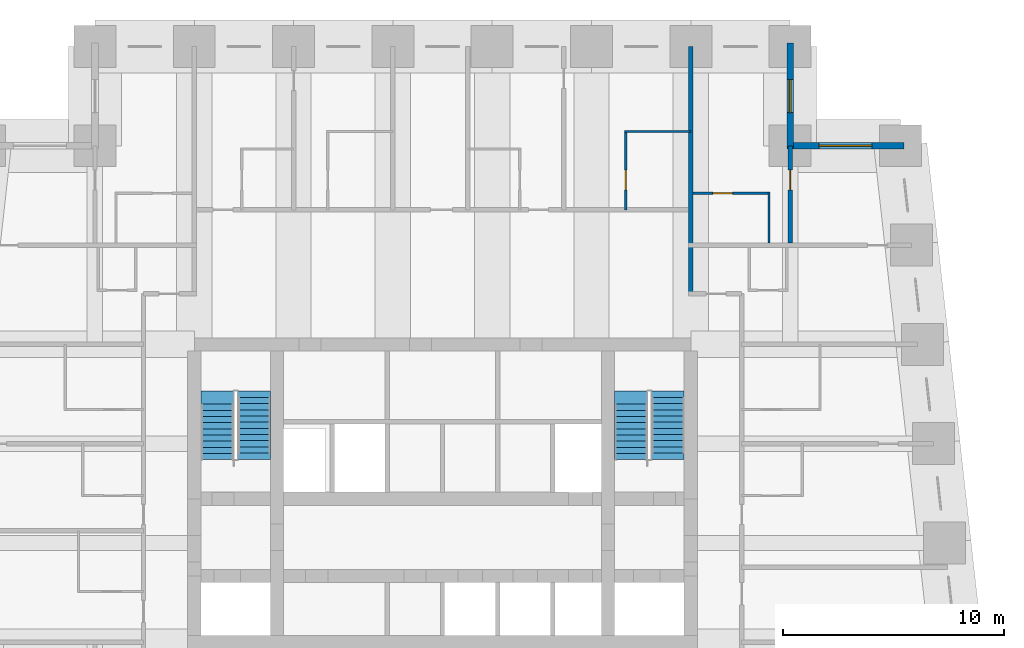
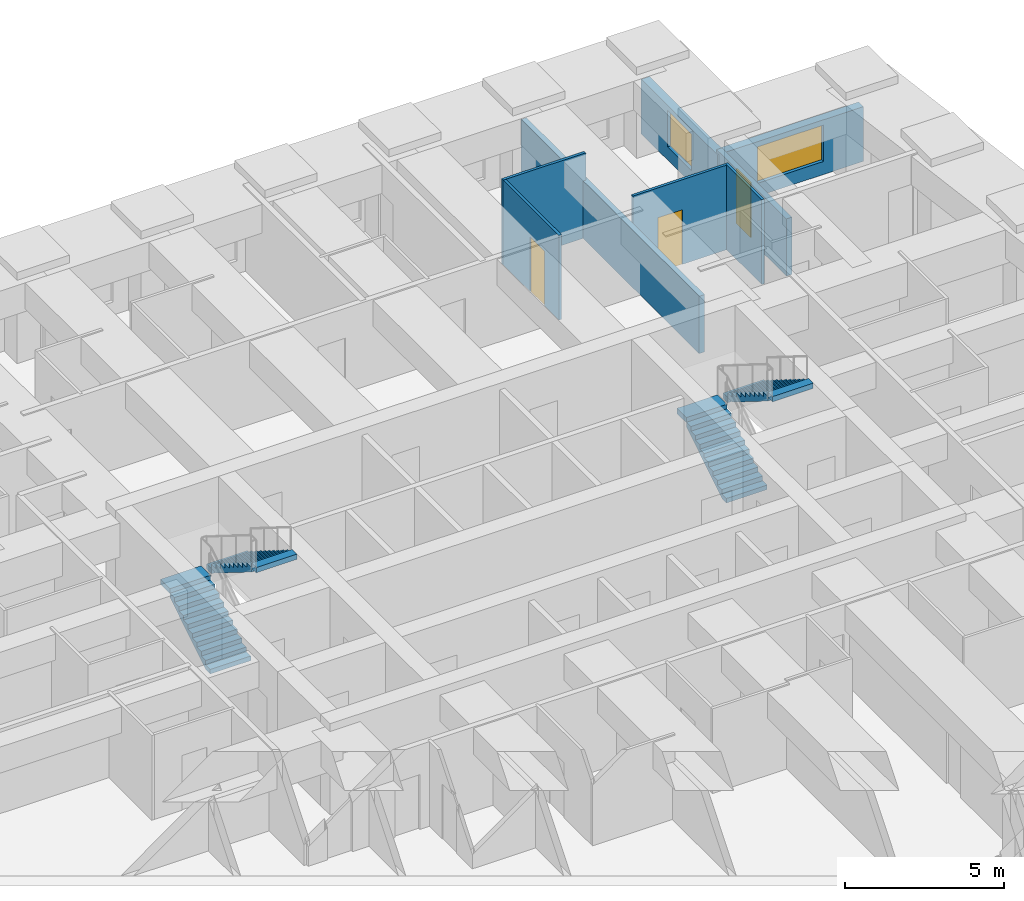
# One storey, part 7 of 8: 8 walls, 4 stair flights, 3 doors, 2 windows, 5 openings, 2 elements without a shape of their own.
"""IFC4 building model written with IfcOpenShell, lengths in metres."""

from ifc_helpers import new_model, si_unit, direction, frame, frame_2d, origin, place, context, subcontext, project, spatial, polyline, rectangle, outline, extrude, material, layer, layer_set, type_object, element, fill, aggregate, save


model = new_model("IFC4")

# Units and contexts
model_context = context("Model", 3, precision=1e-05, world=origin(), true_north=direction((0.0, 1.0)))
body_context = subcontext(model_context, "Body", "Model", "MODEL_VIEW")
ifc_project = project(units=[si_unit("LENGTHUNIT", "METRE"), si_unit("AREAUNIT", "SQUARE_METRE"), si_unit("VOLUMEUNIT", "CUBIC_METRE"), si_unit("PLANEANGLEUNIT", "RADIAN"), si_unit("MASSUNIT", "GRAM", prefix="KILO")], contexts=[model_context])

# Site, building, storey
site_placement = place(None, origin())
site = spatial("IfcSite", under=ifc_project, at=site_placement, CompositionType="ELEMENT")
building_placement = place(site_placement, origin())
building = spatial("IfcBuilding", under=site, at=building_placement, Name="Kilele Tower Hotel", CompositionType="ELEMENT")
storey_placement = place(building_placement, frame((0.0, 0.0, 142.39990234375)))
storey = spatial("IfcBuildingStorey", under=building, at=storey_placement, Name="L37", CompositionType="ELEMENT", Elevation=142.39990234375)

# Wall
ifc_material_1 = material(Name="Moisture-resistant board")
ifc_layer_1 = layer(ifc_material_1, 0.10009765625)
ifc_layer_set_1 = layer_set([ifc_layer_1], Name="Moisture-resistant board")
wall_type_1 = type_object("IfcWallType", Name="Bathroom partition 100", PredefinedType="PLUMBINGWALL", material=ifc_layer_set_1)
wall_1_placement = place(storey_placement, frame((33.0, 36.64990234375, 0.0), z_axis=(0.0, 0.0, 1.0), x_axis=(1.0, 0.0, 0.0)))
element("IfcWall", 1, at=wall_1_placement, inside=storey, type_object=wall_type_1, Name="Bathroom partition 100 L37", PredefinedType="PLUMBINGWALL", context=body_context, shape_type="SweptSolid", body=[
    extrude(rectangle(XDim=3.0, YDim=0.10009765625, at=frame_2d((1.5, 0.0))), origin(), (0.0, 0.0, 1.0), 3.25),
])

# Wall, opening, door
wall_2_placement = place(storey_placement, frame((33.050048828125, 33.10009765625, 0.0), z_axis=(0.0, 0.0, 1.0), x_axis=(0.0, 1.0, 0.0)))
wall_2 = element("IfcWall", 2, at=wall_2_placement, inside=storey, type_object=wall_type_1, Name="Bathroom partition 100 L37", PredefinedType="PLUMBINGWALL", context=body_context, shape_type="SweptSolid", body=[
    extrude(rectangle(XDim=3.599853515625, YDim=0.10009765625, at=frame_2d((1.7998046875, 0.0))), origin(), (0.0, 0.0, 1.0), 3.25),
])
opening_1_placement = place(wall_2_placement, frame((0.89990234375, 0.0, 0.0)))
opening_1 = element("IfcOpeningElement", 3, at=opening_1_placement, cuts=wall_2, Name="Opening D2A", PredefinedType="OPENING", context=body_context, shape_type="SweptSolid", body=[
    extrude(rectangle(XDim=0.89990234375, YDim=2.10009765625, at=frame_2d((0.449951171875, 1.050048828125))), frame((0.0, 0.06005859375, 0.0), z_axis=(0.0, -1.0, 0.0), x_axis=(1.0, 0.0, 0.0)), (0.0, 0.0, 1.0), 0.1201171875),
])
ifc_material_2 = material(Name="Timber door leaf in hardwood frame", Category="wood")
door_type_1 = type_object("IfcDoorType", Name="Bathroom door 900", OperationType="SINGLE_SWING_LEFT", PredefinedType="DOOR", material=ifc_material_2)
door_1_placement = place(opening_1_placement, origin())
door_1 = element("IfcDoor", 4, at=door_1_placement, inside=storey, type_object=door_type_1, Name="Bathroom door 3713B", OperationType="SINGLE_SWING_LEFT", OverallHeight=2.10009765625, OverallWidth=0.89990234375, PredefinedType="DOOR", context=body_context, shape_type="SweptSolid", body=[
    extrude(rectangle(XDim=0.89990234375, YDim=2.10009765625, at=frame_2d((0.449951171875, 1.050048828125))), frame((0.0, 0.02490234375, 0.0), z_axis=(0.0, -1.0, 0.0), x_axis=(1.0, 0.0, 0.0)), (0.0, 0.0, 1.0), 0.050048828125),
])
fill(opening_1, door_1)

# Wall
wall_3_placement = place(storey_placement, frame((39.550048828125, 31.60009765625, 0.0), z_axis=(0.0, 0.0, 1.0), x_axis=(0.0, 1.0, 0.0)))
element("IfcWall", 5, at=wall_3_placement, inside=storey, type_object=wall_type_1, Name="Bathroom partition 100 L37", PredefinedType="PLUMBINGWALL", context=body_context, shape_type="SweptSolid", body=[
    extrude(rectangle(XDim=2.2998046875, YDim=0.10009765625, at=frame_2d((1.14990234375, 0.0))), origin(), (0.0, 0.0, 1.0), 3.25),
])

# Wall, opening, door
wall_4_placement = place(storey_placement, frame((36.10009765625, 33.85009765625, 0.0), z_axis=(0.0, 0.0, 1.0), x_axis=(1.0, 0.0, 0.0)))
wall_4 = element("IfcWall", 6, at=wall_4_placement, inside=storey, type_object=wall_type_1, Name="Bathroom partition 100 L37", PredefinedType="PLUMBINGWALL", context=body_context, shape_type="SweptSolid", body=[
    extrude(rectangle(XDim=3.5, YDim=0.10009765625, at=frame_2d((1.75, 0.0))), origin(), (0.0, 0.0, 1.0), 3.25),
])
opening_2_placement = place(wall_4_placement, frame((0.89990234375, 0.0, 0.0)))
opening_2 = element("IfcOpeningElement", 7, at=opening_2_placement, cuts=wall_4, Name="Opening D2A", PredefinedType="OPENING", context=body_context, shape_type="SweptSolid", body=[
    extrude(rectangle(XDim=0.89990234375, YDim=2.10009765625, at=frame_2d((0.449951171875, 1.050048828125))), frame((0.0, 0.06005859375, 0.0), z_axis=(0.0, -1.0, 0.0), x_axis=(1.0, 0.0, 0.0)), (0.0, 0.0, 1.0), 0.1201171875),
])
door_2_placement = place(opening_2_placement, origin())
door_2 = element("IfcDoor", 8, at=door_2_placement, inside=storey, type_object=door_type_1, Name="Bathroom door 3724B", OperationType="SINGLE_SWING_LEFT", OverallHeight=2.10009765625, OverallWidth=0.89990234375, PredefinedType="DOOR", context=body_context, shape_type="SweptSolid", body=[
    extrude(rectangle(XDim=0.89990234375, YDim=2.10009765625, at=frame_2d((0.449951171875, 1.050048828125))), frame((0.0, 0.02490234375, 0.0), z_axis=(0.0, -1.0, 0.0), x_axis=(1.0, 0.0, 0.0)), (0.0, 0.0, 1.0), 0.050048828125),
])
fill(opening_2, door_2)

ifc_material_3 = material(Name="Blockwork, plastered both sides", Category="masonry")
ifc_layer_2 = layer(ifc_material_3, 0.199951171875)
ifc_layer_set_2 = layer_set([ifc_layer_2], Name="Blockwork, plastered both sides")
wall_type_2 = type_object("IfcWallType", Name="Partition wall 200", PredefinedType="PARTITIONING", material=ifc_layer_set_2)
wall_5_placement = place(storey_placement, frame((40.5, 31.60009765625, 0.0), z_axis=(0.0, 0.0, 1.0), x_axis=(0.0, 1.0, 0.0)))
wall_5 = element("IfcWall", 9, at=wall_5_placement, inside=storey, type_object=wall_type_2, Name="Partition wall 200 L37", PredefinedType="PARTITIONING", context=body_context, shape_type="SweptSolid", body=[
    extrude(rectangle(XDim=4.39990234375, YDim=0.199951171875, at=frame_2d((2.199951171875, 0.0))), origin(), (0.0, 0.0, 1.0), 2.2001953125),
])
opening_3_placement = place(wall_5_placement, frame((2.39990234375, 0.0, 0.0)))
opening_3 = element("IfcOpeningElement", 10, at=opening_3_placement, cuts=wall_5, Name="Opening D3", PredefinedType="OPENING", context=body_context, shape_type="SweptSolid", body=[
    extrude(rectangle(XDim=0.89990234375, YDim=2.10009765625, at=frame_2d((0.449951171875, 1.050048828125))), frame((0.0, 0.10986328125, 0.0), z_axis=(0.0, -1.0, 0.0), x_axis=(1.0, 0.0, 0.0)), (0.0, 0.0, 1.0), 0.219970703125),
])
ifc_material_4 = material(Name="Timber door leaf in hardwood frame", Category="wood")
door_type_2 = type_object("IfcDoorType", Name="Suite internal door 900", OperationType="SINGLE_SWING_LEFT", PredefinedType="DOOR", material=ifc_material_4)
door_3_placement = place(opening_3_placement, origin())
door_3 = element("IfcDoor", 11, at=door_3_placement, inside=storey, type_object=door_type_2, Name="Suite door 3725", OperationType="SINGLE_SWING_LEFT", OverallHeight=2.10009765625, OverallWidth=0.89990234375, PredefinedType="DOOR", context=body_context, shape_type="SweptSolid", body=[
    extrude(rectangle(XDim=0.89990234375, YDim=2.10009765625, at=frame_2d((0.449951171875, 1.050048828125))), frame((0.0, 0.02490234375, 0.0), z_axis=(0.0, -1.0, 0.0), x_axis=(1.0, 0.0, 0.0)), (0.0, 0.0, 1.0), 0.050048828125),
])
fill(opening_3, door_3)

# Wall
ifc_material_5 = material(Name="Blockwork, plastered both sides", Category="masonry")
ifc_layer_3 = layer(ifc_material_5, 0.199951171875)
ifc_layer_set_3 = layer_set([ifc_layer_3], Name="Blockwork, plastered both sides")
wall_type_3 = type_object("IfcWallType", Name="Party wall 200", PredefinedType="PARTITIONING", material=ifc_layer_set_3)
wall_6_placement = place(storey_placement, frame((36.0, 29.300048828125, 0.0), z_axis=(0.0, 0.0, 1.0), x_axis=(0.0, 1.0, 0.0)))
element("IfcWall", 12, at=wall_6_placement, inside=storey, type_object=wall_type_3, Name="Party wall 200 L37", PredefinedType="PARTITIONING", context=body_context, shape_type="SweptSolid", body=[
    extrude(rectangle(XDim=11.199951171875, YDim=0.199951171875, at=frame_2d((5.60009765625, 0.0))), origin(), (0.0, 0.0, 1.0), 2.2001953125),
])

# Wall, opening, window
ifc_material_6 = material(Name="Concrete C40/50 precast", Category="concrete")
ifc_layer_4 = layer(ifc_material_6, 0.260009765625, Name="Precast backing", Category="LoadBearing")
ifc_material_7 = material(Name="Reconstituted stone finish", Category="masonry")
ifc_layer_5 = layer(ifc_material_7, 0.0400390625, Name="Face mix", Category="Finish")
ifc_layer_set_4 = layer_set([ifc_layer_4, ifc_layer_5], Name="Precast concrete C40/50, reconstituted stone finish")
wall_type_4 = type_object("IfcWallType", Name="Precast stone facade wall 300", PredefinedType="STANDARD", material=ifc_layer_set_4)
wall_7_placement = place(storey_placement, frame((45.64990234375, 36.0, 0.0), z_axis=(0.0, 0.0, 1.0), x_axis=(-1.0, 0.0, 0.0)))
wall_7 = element("IfcWall", 13, at=wall_7_placement, inside=storey, type_object=wall_type_4, Name="Facade wall L37 edge 7", PredefinedType="STANDARD", context=body_context, shape_type="SweptSolid", body=[
    extrude(rectangle(XDim=5.2998046875, YDim=0.300048828125, at=frame_2d((2.64990234375, 0.0))), origin(), (0.0, 0.0, 1.0), 2.10009765625),
])
opening_4_placement = place(wall_7_placement, frame((1.449951171875, 0.0, 0.5)))
opening_4 = element("IfcOpeningElement", 14, at=opening_4_placement, cuts=wall_7, Name="Opening W2", PredefinedType="OPENING", context=body_context, shape_type="SweptSolid", body=[
    extrude(rectangle(XDim=2.39990234375, YDim=1.39990234375, at=frame_2d((1.199951171875, 0.699951171875))), frame((0.0, 0.159912109375, 0.0), z_axis=(0.0, -1.0, 0.0), x_axis=(1.0, 0.0, 0.0)), (0.0, 0.0, 1.0), 0.320068359375),
])
ifc_material_8 = material(Name="Aluminium frame, clear double glazing", Category="aluminium")
window_type_1 = type_object("IfcWindowType", Name="Window W2 2400 x 1400", PartitioningType="SINGLE_PANEL", PredefinedType="WINDOW", material=ifc_material_8)
window_1_placement = place(opening_4_placement, origin())
window_1 = element("IfcWindow", 15, at=window_1_placement, inside=storey, type_object=window_type_1, Name="Window L37", OverallHeight=1.39990234375, OverallWidth=2.39990234375, PartitioningType="SINGLE_PANEL", PredefinedType="WINDOW", context=body_context, shape_type="SweptSolid", body=[
    extrude(rectangle(XDim=2.39990234375, YDim=1.39990234375, at=frame_2d((1.199951171875, 0.699951171875))), frame((0.0, 0.030029296875, 0.0), z_axis=(0.0, -1.0, 0.0), x_axis=(1.0, 0.0, 0.0)), (0.0, 0.0, 1.0), 0.06005859375),
])
fill(opening_4, window_1)

wall_8_placement = place(storey_placement, frame((40.5, 35.85009765625, 0.0), z_axis=(0.0, 0.0, 1.0), x_axis=(0.0, 1.0, 0.0)))
wall_8 = element("IfcWall", 16, at=wall_8_placement, inside=storey, type_object=wall_type_4, Name="Facade wall L37 edge 8", PredefinedType="STANDARD", context=body_context, shape_type="SweptSolid", body=[
    extrude(rectangle(XDim=4.7998046875, YDim=0.300048828125, at=frame_2d((2.39990234375, 0.0))), origin(), (0.0, 0.0, 1.0), 2.10009765625),
])
opening_5_placement = place(wall_8_placement, frame((1.64990234375, 0.0, 0.5)))
opening_5 = element("IfcOpeningElement", 17, at=opening_5_placement, cuts=wall_8, Name="Opening W2", PredefinedType="OPENING", context=body_context, shape_type="SweptSolid", body=[
    extrude(rectangle(XDim=1.5, YDim=1.39990234375, at=frame_2d((0.75, 0.699951171875))), frame((0.0, 0.159912109375, 0.0), z_axis=(0.0, -1.0, 0.0), x_axis=(1.0, 0.0, 0.0)), (0.0, 0.0, 1.0), 0.320068359375),
])
ifc_material_9 = material(Name="Aluminium frame, clear double glazing", Category="aluminium")
window_type_2 = type_object("IfcWindowType", Name="Window W2 1500 x 1400", PartitioningType="SINGLE_PANEL", PredefinedType="WINDOW", material=ifc_material_9)
window_2_placement = place(opening_5_placement, origin())
window_2 = element("IfcWindow", 18, at=window_2_placement, inside=storey, type_object=window_type_2, Name="Window L37", OverallHeight=1.39990234375, OverallWidth=1.5, PartitioningType="SINGLE_PANEL", PredefinedType="WINDOW", context=body_context, shape_type="SweptSolid", body=[
    extrude(rectangle(XDim=1.5, YDim=1.39990234375, at=frame_2d((0.75, 0.699951171875))), frame((0.0, 0.030029296875, 0.0), z_axis=(0.0, -1.0, 0.0), x_axis=(1.0, 0.0, 0.0)), (0.0, 0.0, 1.0), 0.06005859375),
])
fill(opening_5, window_2)

# Stair, stair flights
ifc_material_10 = material(Name="Precast concrete C40/50", Category="concrete")
stair_type = type_object("IfcStairType", Name="Stair 1475 x 3500", PredefinedType="HALF_TURN_STAIR", material=ifc_material_10)
stair_1_placement = place(storey_placement, origin())
stair_1 = element("IfcStair", 19, at=stair_1_placement, inside=storey, type_object=stair_type, Name="Stair 1 L37", PredefinedType="HALF_TURN_STAIR")
ifc_material_11 = material(Name="Precast concrete C40/50", Category="concrete")
stair_flight_type = type_object("IfcStairFlightType", Name="Flight 1475 riser 175.0", PredefinedType="STRAIGHT", material=ifc_material_11)
stair_flight_1_placement = place(storey_placement, frame((14.53759765625, 21.77490234375, 0.0), z_axis=(0.0, 0.0, 1.0), x_axis=(0.0, 1.0, 0.0)))
stair_flight_1 = element("IfcStairFlight", 20, at=stair_flight_1_placement, type_object=stair_flight_type, Name="ST1 flight 1", NumberOfRisers=10, NumberOfTreads=9, PredefinedType="STRAIGHT", RiserHeight=0.175, TreadLength=0.28, context=body_context, shape_type="SweptSolid", body=[
    extrude(outline(polyline([(0.0, 0.0), (0.0, 0.175048828125), (0.280029296875, 0.175048828125), (0.280029296875, 0.35009765625), (0.56005859375, 0.35009765625), (0.56005859375, 0.52490234375), (0.840087890625, 0.52490234375), (0.840087890625, 0.699951171875), (1.1201171875, 0.699951171875), (1.1201171875, 0.875), (1.39990234375, 0.875), (1.39990234375, 1.050048828125), (1.679931640625, 1.050048828125), (1.679931640625, 1.22509765625), (1.9599609375, 1.22509765625), (1.9599609375, 1.39990234375), (2.239990234375, 1.39990234375), (2.239990234375, 1.574951171875), (2.52001953125, 1.574951171875), (2.52001953125, 1.75), (2.52001953125, 1.398193359375), (0.28271484375, 0.0), (0.0, 0.0)])), frame((0.0, 0.737548828125, 0.0), z_axis=(0.0, -1.0, 0.0), x_axis=(1.0, 0.0, 0.0)), (0.0, 0.0, 1.0), 1.47509765625),
    extrude(outline(polyline([(2.52001953125, 0.737548828125), (2.52001953125, -0.7373046875), (3.1201171875, -0.7373046875), (3.1201171875, 0.737548828125), (2.52001953125, 0.737548828125)])), frame((0.0, 0.0, 1.550048828125)), (0.0, 0.0, 1.0), 0.199951171875),
])
stair_flight_2_placement = place(storey_placement, frame((16.21240234375, 24.594970703125, 1.75), z_axis=(0.0, 0.0, 1.0), x_axis=(0.0, -1.0, 0.0)))
stair_flight_2 = element("IfcStairFlight", 21, at=stair_flight_2_placement, type_object=stair_flight_type, Name="ST1 flight 2", NumberOfRisers=10, NumberOfTreads=9, PredefinedType="STRAIGHT", RiserHeight=0.175, TreadLength=0.28, context=body_context, shape_type="SweptSolid", body=[
    extrude(outline(polyline([(0.0, 0.0), (0.0, 0.175048828125), (0.280029296875, 0.175048828125), (0.280029296875, 0.35009765625), (0.56005859375, 0.35009765625), (0.56005859375, 0.52490234375), (0.840087890625, 0.52490234375), (0.840087890625, 0.699951171875), (1.1201171875, 0.699951171875), (1.1201171875, 0.875), (1.39990234375, 0.875), (1.39990234375, 1.050048828125), (1.679931640625, 1.050048828125), (1.679931640625, 1.22509765625), (1.9599609375, 1.22509765625), (1.9599609375, 1.39990234375), (2.239990234375, 1.39990234375), (2.239990234375, 1.574951171875), (2.52001953125, 1.574951171875), (2.52001953125, 1.75), (2.52001953125, 1.398193359375), (0.28271484375, 0.0), (0.0, 0.0)])), frame((0.0, 0.737548828125, 0.0), z_axis=(0.0, -1.0, 0.0), x_axis=(1.0, 0.0, 0.0)), (0.0, 0.0, 1.0), 1.47509765625),
    extrude(outline(polyline([(0.0, -0.7373046875), (0.0, 0.737548828125), (-0.300048828125, 0.737548828125), (-0.300048828125, -0.7373046875), (0.0, -0.7373046875)])), frame((0.0, 0.0, -0.199951171875)), (0.0, 0.0, 1.0), 0.199951171875),
    extrude(outline(polyline([(2.820068359375, -0.7373046875), (2.820068359375, 0.737548828125), (2.52001953125, 0.737548828125), (2.52001953125, -0.7373046875), (2.820068359375, -0.7373046875)])), frame((0.0, 0.0, 1.550048828125)), (0.0, 0.0, 1.0), 0.199951171875),
])
aggregate(stair_1, [stair_flight_1, stair_flight_2])

stair_2_placement = place(storey_placement, origin())
stair_2 = element("IfcStair", 22, at=stair_2_placement, inside=storey, type_object=stair_type, Name="Stair 2 L37", PredefinedType="HALF_TURN_STAIR")
stair_flight_3_placement = place(storey_placement, frame((33.28759765625, 21.77490234375, 0.0), z_axis=(0.0, 0.0, 1.0), x_axis=(0.0, 1.0, 0.0)))
stair_flight_3 = element("IfcStairFlight", 23, at=stair_flight_3_placement, type_object=stair_flight_type, Name="ST2 flight 1", NumberOfRisers=10, NumberOfTreads=9, PredefinedType="STRAIGHT", RiserHeight=0.175, TreadLength=0.28, context=body_context, shape_type="SweptSolid", body=[
    extrude(outline(polyline([(0.0, 0.0), (0.0, 0.175048828125), (0.280029296875, 0.175048828125), (0.280029296875, 0.35009765625), (0.56005859375, 0.35009765625), (0.56005859375, 0.52490234375), (0.840087890625, 0.52490234375), (0.840087890625, 0.699951171875), (1.1201171875, 0.699951171875), (1.1201171875, 0.875), (1.39990234375, 0.875), (1.39990234375, 1.050048828125), (1.679931640625, 1.050048828125), (1.679931640625, 1.22509765625), (1.9599609375, 1.22509765625), (1.9599609375, 1.39990234375), (2.239990234375, 1.39990234375), (2.239990234375, 1.574951171875), (2.52001953125, 1.574951171875), (2.52001953125, 1.75), (2.52001953125, 1.398193359375), (0.28271484375, 0.0), (0.0, 0.0)])), frame((0.0, 0.737548828125, 0.0), z_axis=(0.0, -1.0, 0.0), x_axis=(1.0, 0.0, 0.0)), (0.0, 0.0, 1.0), 1.47509765625),
    extrude(outline(polyline([(2.52001953125, 0.737548828125), (2.52001953125, -0.7373046875), (3.1201171875, -0.7373046875), (3.1201171875, 0.737548828125), (2.52001953125, 0.737548828125)])), frame((0.0, 0.0, 1.550048828125)), (0.0, 0.0, 1.0), 0.199951171875),
])
stair_flight_4_placement = place(storey_placement, frame((34.96240234375, 24.594970703125, 1.75), z_axis=(0.0, 0.0, 1.0), x_axis=(0.0, -1.0, 0.0)))
stair_flight_4 = element("IfcStairFlight", 24, at=stair_flight_4_placement, type_object=stair_flight_type, Name="ST2 flight 2", NumberOfRisers=10, NumberOfTreads=9, PredefinedType="STRAIGHT", RiserHeight=0.175, TreadLength=0.28, context=body_context, shape_type="SweptSolid", body=[
    extrude(outline(polyline([(0.0, 0.0), (0.0, 0.175048828125), (0.280029296875, 0.175048828125), (0.280029296875, 0.35009765625), (0.56005859375, 0.35009765625), (0.56005859375, 0.52490234375), (0.840087890625, 0.52490234375), (0.840087890625, 0.699951171875), (1.1201171875, 0.699951171875), (1.1201171875, 0.875), (1.39990234375, 0.875), (1.39990234375, 1.050048828125), (1.679931640625, 1.050048828125), (1.679931640625, 1.22509765625), (1.9599609375, 1.22509765625), (1.9599609375, 1.39990234375), (2.239990234375, 1.39990234375), (2.239990234375, 1.574951171875), (2.52001953125, 1.574951171875), (2.52001953125, 1.75), (2.52001953125, 1.398193359375), (0.28271484375, 0.0), (0.0, 0.0)])), frame((0.0, 0.737548828125, 0.0), z_axis=(0.0, -1.0, 0.0), x_axis=(1.0, 0.0, 0.0)), (0.0, 0.0, 1.0), 1.47509765625),
    extrude(outline(polyline([(0.0, -0.7373046875), (0.0, 0.737548828125), (-0.300048828125, 0.737548828125), (-0.300048828125, -0.7373046875), (0.0, -0.7373046875)])), frame((0.0, 0.0, -0.199951171875)), (0.0, 0.0, 1.0), 0.199951171875),
    extrude(outline(polyline([(2.820068359375, -0.7373046875), (2.820068359375, 0.737548828125), (2.52001953125, 0.737548828125), (2.52001953125, -0.7373046875), (2.820068359375, -0.7373046875)])), frame((0.0, 0.0, 1.550048828125)), (0.0, 0.0, 1.0), 0.199951171875),
])
aggregate(stair_2, [stair_flight_3, stair_flight_4])

save(model, "model.ifc")
